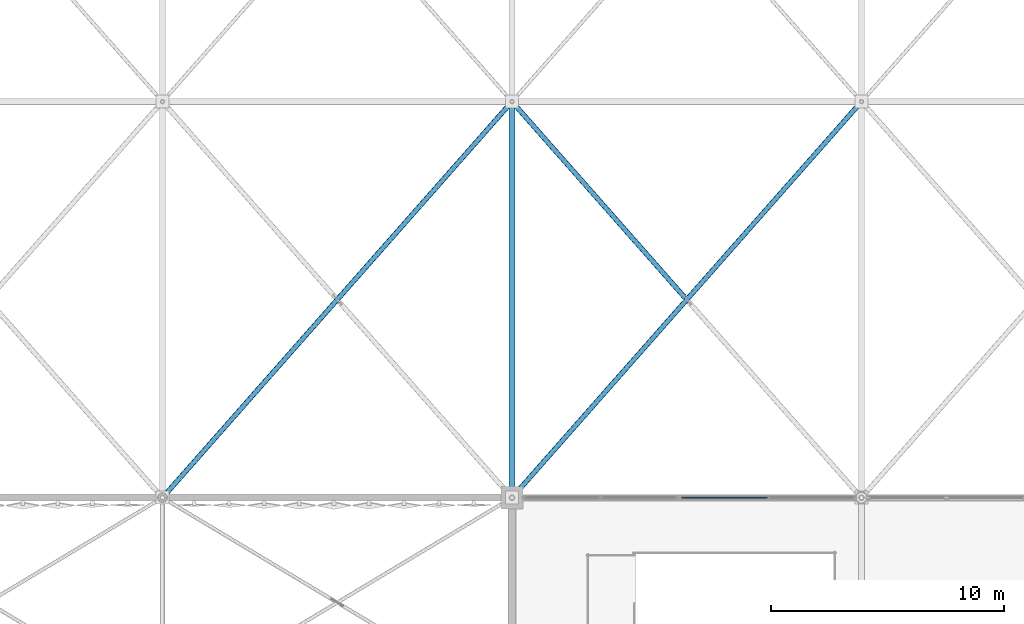
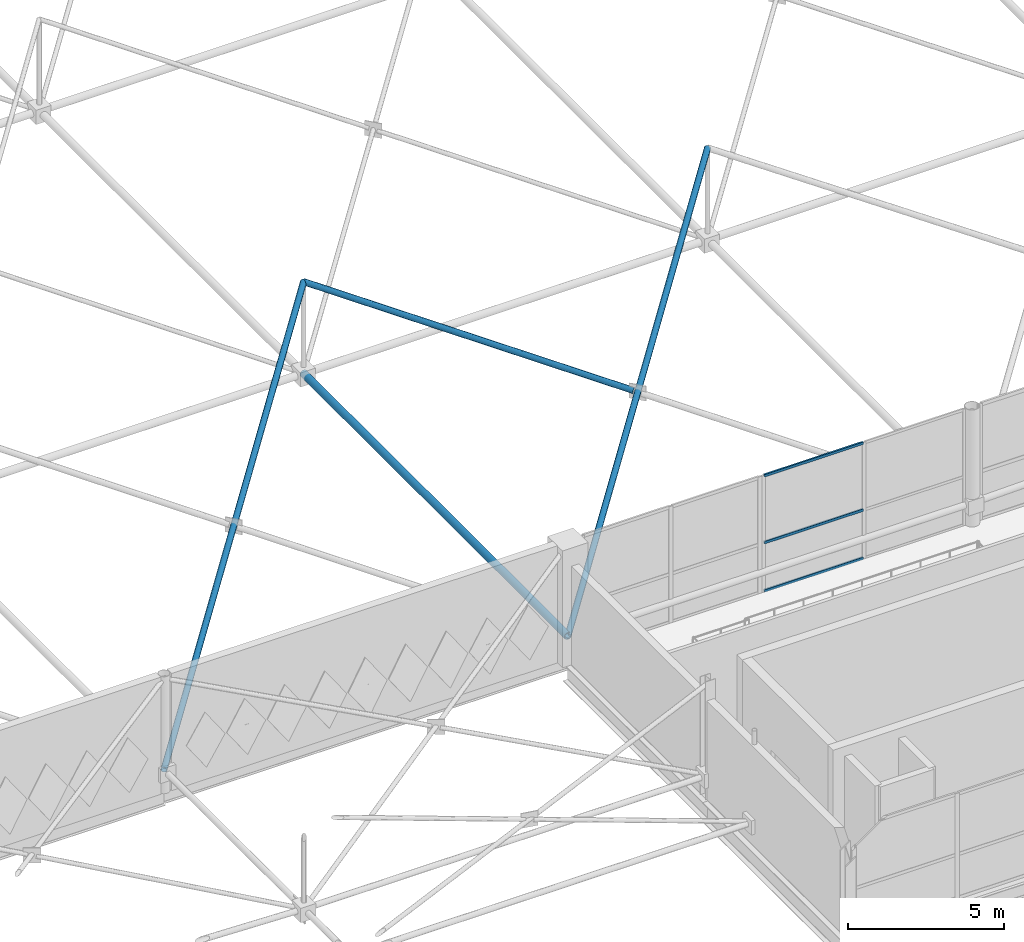
# One storey, part 46 of 224: 7 members, 1 element without a shape of its own.
"""IFC4 building model written with IfcOpenShell, lengths in metres."""

from ifc_helpers import new_model, si_unit, direction, frame, origin, origin_2d, place, context, subcontext, project, spatial, rectangle, hollow_circle, extrude, material, layer, layer_set, material_profile, profile_set, type_object, element, aggregate, save


model = new_model("IFC4")

# Units and contexts
model_context = context("Model", 3, precision=1e-05, world=origin(), true_north=direction((0.0, 1.0)))
body_context = subcontext(model_context, "Body", "Model", "MODEL_VIEW")
ifc_project = project(units=[si_unit("LENGTHUNIT", "METRE"), si_unit("AREAUNIT", "SQUARE_METRE"), si_unit("VOLUMEUNIT", "CUBIC_METRE"), si_unit("PLANEANGLEUNIT", "RADIAN"), si_unit("MASSUNIT", "GRAM", prefix="KILO")], contexts=[model_context])

# Site, building, storey
site_placement = place(None, origin())
site = spatial("IfcSite", under=ifc_project, at=site_placement, CompositionType="ELEMENT")
building_placement = place(site_placement, origin())
building = spatial("IfcBuilding", under=site, at=building_placement, Name="Qamarlyn Nura Convention Centre", CompositionType="ELEMENT")
storey_placement = place(building_placement, frame((0.0, 0.0, 10.800048828125)))
storey = spatial("IfcBuildingStorey", under=building, at=storey_placement, Name="L02", CompositionType="ELEMENT", Elevation=10.800048828125)

# Curtain wall, members
ifc_material_1 = material(Name="Double-silver low-E insulated glass", Category="glass")
ifc_layer = layer(ifc_material_1, 0.179931640625, Name="CW-UNIT-18")
ifc_layer_set = layer_set([ifc_layer], Name="Double-silver low-E insulated glass")
curtain_wall_type = type_object("IfcCurtainWallType", Name="CW-UNIT-18", PredefinedType="NOTDEFINED", material=ifc_layer_set)
curtain_wall_placement = place(storey_placement, origin())
curtain_wall = element("IfcCurtainWall", 1, at=curtain_wall_placement, inside=storey, type_object=curtain_wall_type, Name="L02 unitised curtain wall V1-INT-S1-1B", PredefinedType="NOTDEFINED")
ifc_material_2 = material(Name="Champagne-anodised marine aluminium", Category="aluminium")
ifc_material_profile_1 = material_profile(ifc_material_2, rectangle(XDim=0.06005859375, YDim=0.10009765625, at=origin_2d()), Name="ALU TRANSOM 60x100")
ifc_profile_set_1 = profile_set([ifc_material_profile_1], Name="Champagne-anodised marine aluminium")
member_type_1 = type_object("IfcMemberType", Name="CWT-100", PredefinedType="USERDEFINED", material=ifc_profile_set_1)
member_1_placement = place(storey_placement, frame((67.282470703125, 18.0, 0.030029296875), z_axis=(1.0, 0.0, 0.0), x_axis=(0.0, 1.0, 0.0)))
member_1 = element("IfcMember", 2, at=member_1_placement, type_object=member_type_1, Name="CW18 transom 1.1", ObjectType="TRANSOM", PredefinedType="USERDEFINED", context=body_context, shape_type="SweptSolid", body=[
    extrude(rectangle(XDim=0.06005859375, YDim=0.10009765625, at=origin_2d()), origin(), (0.0, 0.0, 1.0), 3.671630859375),
])
member_2_placement = place(storey_placement, frame((67.282470703125, 18.0, 1.924072265625), z_axis=(1.0, 0.0, 0.0), x_axis=(0.0, 1.0, 0.0)))
member_2 = element("IfcMember", 3, at=member_2_placement, type_object=member_type_1, Name="CW18 transom 1.2", ObjectType="TRANSOM", PredefinedType="USERDEFINED", context=body_context, shape_type="SweptSolid", body=[
    extrude(rectangle(XDim=0.06005859375, YDim=0.10009765625, at=origin_2d()), origin(), (0.0, 0.0, 1.0), 3.671630859375),
])
member_3_placement = place(storey_placement, frame((67.282470703125, 18.0, 4.550048828125), z_axis=(1.0, 0.0, 0.0), x_axis=(0.0, 1.0, 0.0)))
member_3 = element("IfcMember", 4, at=member_3_placement, type_object=member_type_1, Name="CW18 transom 1.3", ObjectType="TRANSOM", PredefinedType="USERDEFINED", context=body_context, shape_type="SweptSolid", body=[
    extrude(rectangle(XDim=0.06005859375, YDim=0.10009765625, at=origin_2d()), origin(), (0.0, 0.0, 1.0), 3.671630859375),
])
aggregate(curtain_wall, [member_1, member_2, member_3])

# Members
ifc_material_3 = material(Name="Pearl-white PVDF steel ASTM A500 Grade C", Category="steel")
ifc_material_profile_2 = material_profile(ifc_material_3, hollow_circle(Radius=0.136474609375, WallThickness=0.012451171875, at=origin_2d()), Name="CHS273X12.5")
ifc_profile_set_2 = profile_set([ifc_material_profile_2], Name="Pearl-white PVDF steel ASTM A500 Grade C")
member_type_2 = type_object("IfcMemberType", Name="SF-BC-MAIN", PredefinedType="CHORD", material=ifc_profile_set_2)
member_4_placement = place(storey_placement, frame((60.0, 18.0, 0.800048828125), z_axis=(0.0, 1.0, 0.0), x_axis=(-1.0, 0.0, 0.0)))
element("IfcMember", 5, at=member_4_placement, inside=storey, type_object=member_type_2, Name="ROOF TRUSS space frame bottom chord Y6-2", PredefinedType="CHORD", context=body_context, shape_type="SweptSolid", body=[
    extrude(hollow_circle(Radius=0.136474609375, WallThickness=0.012451171875, at=origin_2d()), origin(), (0.0, 0.0, 1.0), 17.0),
])
ifc_material_profile_3 = material_profile(ifc_material_3, hollow_circle(Radius=0.109619140625, WallThickness=0.010009765625, at=origin_2d()), Name="CHS219.1X10")
ifc_profile_set_3 = profile_set([ifc_material_profile_3], Name="Pearl-white PVDF steel ASTM A500 Grade C")
member_type_3 = type_object("IfcMemberType", Name="SF-WEB-HVY", PredefinedType="BRACE", material=ifc_profile_set_3)
for number, where, z_axis, x_axis, name in (
    (6, (45.0, 18.0, 0.800048828125), (0.653435715467, 0.74056047753, 0.156818190504), (-0.749837855365, 0.661621637087, 0.0), "ROOF TRUSS space frame diagonal A 5-2"),
    (7, (60.0, 18.0, 0.800048828125), (0.653435715467, 0.74056047753, 0.156818190504), (-0.749837855365, 0.661621637087, 0.0), "ROOF TRUSS space frame diagonal A 6-2"),
):
    element("IfcMember", number, at=place(storey_placement, frame(where, z_axis=z_axis, x_axis=x_axis)), inside=storey, type_object=member_type_3, Name=name, PredefinedType="BRACE", context=body_context, shape_type="SweptSolid", body=[
        extrude(hollow_circle(Radius=0.109619140625, WallThickness=0.010009765625, at=origin_2d()), origin(), (0.0, 0.0, 1.0), 22.95556640625),
    ])
member_5_placement = place(storey_placement, frame((67.408447265625, 26.603759765625, 2.6220703125), z_axis=(-0.653436826791, 0.740561737029, 0.156807611557), x_axis=(-0.749837855365, -0.661621637087, 0.0)))
element("IfcMember", 8, at=member_5_placement, inside=storey, type_object=member_type_3, Name="ROOF TRUSS space frame split diagonal B2 6-2", PredefinedType="BRACE", context=body_context, shape_type="SweptSolid", body=[
    extrude(hollow_circle(Radius=0.109619140625, WallThickness=0.010009765625, at=origin_2d()), origin(), (0.0, 0.0, 1.0), 11.337646484375),
])

save(model, "model.ifc")
